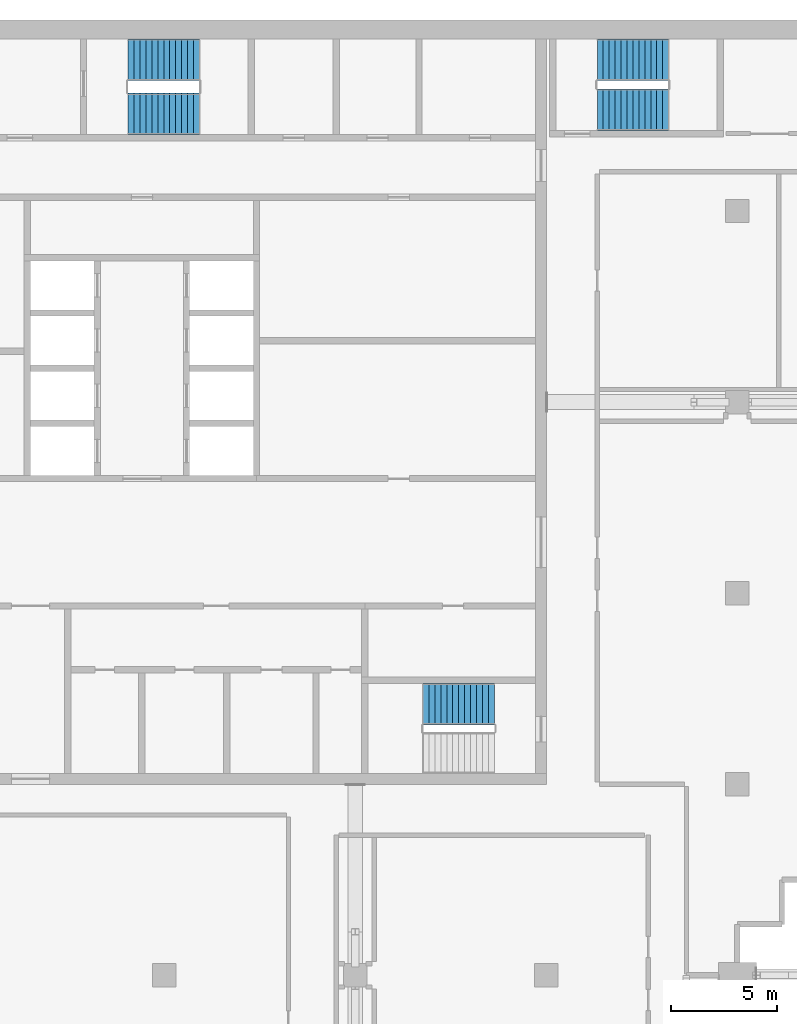
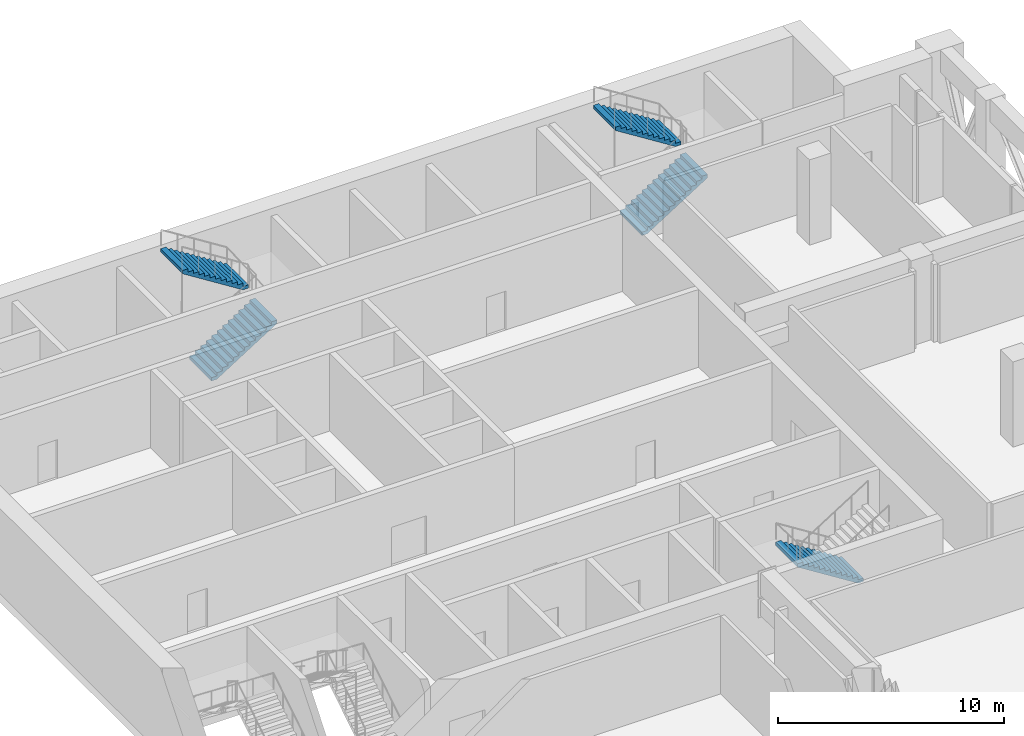
# One storey, part 11 of 16: 5 stair flights, 3 elements without a shape of their own.
"""IFC4 building model written with IfcOpenShell, lengths in metres."""

from ifc_helpers import new_model, si_unit, direction, frame, origin, place, context, subcontext, project, spatial, polyline, outline, extrude, material, type_object, element, aggregate, save


model = new_model("IFC4")

# Units and contexts
model_context = context("Model", 3, precision=1e-05, world=origin(), true_north=direction((0.0, 1.0)))
body_context = subcontext(model_context, "Body", "Model", "MODEL_VIEW")
ifc_project = project(units=[si_unit("LENGTHUNIT", "METRE"), si_unit("AREAUNIT", "SQUARE_METRE"), si_unit("VOLUMEUNIT", "CUBIC_METRE"), si_unit("PLANEANGLEUNIT", "RADIAN"), si_unit("MASSUNIT", "GRAM", prefix="KILO")], contexts=[model_context])

# Site, building, storey
site_placement = place(None, origin())
site = spatial("IfcSite", under=ifc_project, at=site_placement, CompositionType="ELEMENT")
building_placement = place(site_placement, origin())
building = spatial("IfcBuilding", under=site, at=building_placement, Name="Hunhe Ridgeline Campus", CompositionType="ELEMENT")
storey_placement = place(building_placement, frame((0.0, 0.0, 227.199951171875)))
storey = spatial("IfcBuildingStorey", under=building, at=storey_placement, Name="L58", CompositionType="ELEMENT", Elevation=227.199951171875)

# Stair, stair flights
ifc_material = material(Name="Concrete C40", Category="concrete")
stair_type = type_object("IfcStairType", Name="Reinforced concrete dog-leg stair 1950 Concrete C40", PredefinedType="HALF_TURN_STAIR", material=ifc_material)
stair_1_placement = place(storey_placement, origin())
stair_1 = element("IfcStair", 1, at=stair_1_placement, inside=storey, type_object=stair_type, Name="L58 S1", PredefinedType="HALF_TURN_STAIR")
stair_flight_type = type_object("IfcStairFlightType", Name="Reinforced concrete stair flight 1950 Concrete C40", PredefinedType="STRAIGHT", material=ifc_material)
stair_flight_1_placement = place(storey_placement, frame((16.300048828125, 94.574951171875, 0.0), z_axis=(0.0, 0.0, 1.0), x_axis=(1.0, 0.0, 0.0)))
stair_flight_1 = element("IfcStairFlight", 2, at=stair_flight_1_placement, type_object=stair_flight_type, Name="ST1 flight 1", NumberOfRisers=13, NumberOfTreads=12, PredefinedType="STRAIGHT", RiserHeight=0.176923077, TreadLength=0.28, context=body_context, shape_type="SweptSolid", body=[
    extrude(outline(polyline([(0.0, 0.0), (0.0, 0.177001953125), (0.280029296875, 0.177001953125), (0.280029296875, 0.353759765625), (0.56005859375, 0.353759765625), (0.56005859375, 0.53076171875), (0.840087890625, 0.53076171875), (0.840087890625, 0.707763671875), (1.1201171875, 0.707763671875), (1.1201171875, 0.884521484375), (1.39990234375, 0.884521484375), (1.39990234375, 1.0615234375), (1.679931640625, 1.0615234375), (1.679931640625, 1.238525390625), (1.9599609375, 1.238525390625), (1.9599609375, 1.415283203125), (2.239990234375, 1.415283203125), (2.239990234375, 1.59228515625), (2.52001953125, 1.59228515625), (2.52001953125, 1.769287109375), (2.800048828125, 1.769287109375), (2.800048828125, 1.946044921875), (3.080078125, 1.946044921875), (3.080078125, 2.123046875), (3.360107421875, 2.123046875), (3.360107421875, 2.300048828125), (3.360107421875, 1.94580078125), (0.280517578125, 0.0), (0.0, 0.0)])), frame((0.0, 0.97509765625, 0.0), z_axis=(0.0, -1.0, 0.0), x_axis=(1.0, 0.0, 0.0)), (0.0, 0.0, 1.0), 1.949951171875),
    extrude(outline(polyline([(0.030029296875, 0.030029296875), (0.030029296875, 0.14697265625), (0.31005859375, 0.14697265625), (0.31005859375, 0.32373046875), (0.590087890625, 0.32373046875), (0.590087890625, 0.500732421875), (0.8701171875, 0.500732421875), (0.8701171875, 0.677734375), (1.14990234375, 0.677734375), (1.14990234375, 0.8544921875), (1.429931640625, 0.8544921875), (1.429931640625, 1.031494140625), (1.7099609375, 1.031494140625), (1.7099609375, 1.20849609375), (1.989990234375, 1.20849609375), (1.989990234375, 1.385498046875), (2.27001953125, 1.385498046875), (2.27001953125, 1.562255859375), (2.550048828125, 1.562255859375), (2.550048828125, 1.7392578125), (2.830078125, 1.7392578125), (2.830078125, 1.916259765625), (3.110107421875, 1.916259765625), (3.110107421875, 2.093017578125), (3.330078125, 2.093017578125), (3.330078125, 1.96240234375), (0.27197265625, 0.030029296875), (0.030029296875, 0.030029296875)])), frame((0.0, -0.070068359375, 0.0), z_axis=(0.0, -1.0, 0.0), x_axis=(1.0, 0.0, 0.0)), (0.0, 0.0, 1.0), 0.019775390625),
    extrude(outline(polyline([(0.030029296875, 0.030029296875), (0.030029296875, 0.14697265625), (0.31005859375, 0.14697265625), (0.31005859375, 0.32373046875), (0.590087890625, 0.32373046875), (0.590087890625, 0.500732421875), (0.8701171875, 0.500732421875), (0.8701171875, 0.677734375), (1.14990234375, 0.677734375), (1.14990234375, 0.8544921875), (1.429931640625, 0.8544921875), (1.429931640625, 1.031494140625), (1.7099609375, 1.031494140625), (1.7099609375, 1.20849609375), (1.989990234375, 1.20849609375), (1.989990234375, 1.385498046875), (2.27001953125, 1.385498046875), (2.27001953125, 1.562255859375), (2.550048828125, 1.562255859375), (2.550048828125, 1.7392578125), (2.830078125, 1.7392578125), (2.830078125, 1.916259765625), (3.110107421875, 1.916259765625), (3.110107421875, 2.093017578125), (3.330078125, 2.093017578125), (3.330078125, 1.96240234375), (0.27197265625, 0.030029296875), (0.030029296875, 0.030029296875)])), frame((0.0, 0.010009765625, 0.0), z_axis=(0.0, -1.0, 0.0), x_axis=(1.0, 0.0, 0.0)), (0.0, 0.0, 1.0), 0.019775390625),
    extrude(outline(polyline([(0.030029296875, 0.030029296875), (0.030029296875, 0.14697265625), (0.31005859375, 0.14697265625), (0.31005859375, 0.32373046875), (0.590087890625, 0.32373046875), (0.590087890625, 0.500732421875), (0.8701171875, 0.500732421875), (0.8701171875, 0.677734375), (1.14990234375, 0.677734375), (1.14990234375, 0.8544921875), (1.429931640625, 0.8544921875), (1.429931640625, 1.031494140625), (1.7099609375, 1.031494140625), (1.7099609375, 1.20849609375), (1.989990234375, 1.20849609375), (1.989990234375, 1.385498046875), (2.27001953125, 1.385498046875), (2.27001953125, 1.562255859375), (2.550048828125, 1.562255859375), (2.550048828125, 1.7392578125), (2.830078125, 1.7392578125), (2.830078125, 1.916259765625), (3.110107421875, 1.916259765625), (3.110107421875, 2.093017578125), (3.330078125, 2.093017578125), (3.330078125, 1.96240234375), (0.27197265625, 0.030029296875), (0.030029296875, 0.030029296875)])), frame((0.0, 0.090087890625, 0.0), z_axis=(0.0, -1.0, 0.0), x_axis=(1.0, 0.0, 0.0)), (0.0, 0.0, 1.0), 0.019775390625),
])
stair_flight_2_placement = place(storey_placement, frame((19.659912109375, 97.125, 2.300048828125), z_axis=(0.0, 0.0, 1.0), x_axis=(-1.0, 0.0, 0.0)))
stair_flight_2 = element("IfcStairFlight", 3, at=stair_flight_2_placement, type_object=stair_flight_type, Name="ST1 flight 2", NumberOfRisers=13, NumberOfTreads=12, PredefinedType="STRAIGHT", RiserHeight=0.176923077, TreadLength=0.28, context=body_context, shape_type="SweptSolid", body=[
    extrude(outline(polyline([(0.0, 0.0), (0.0, 0.177001953125), (0.280029296875, 0.177001953125), (0.280029296875, 0.353759765625), (0.56005859375, 0.353759765625), (0.56005859375, 0.53076171875), (0.840087890625, 0.53076171875), (0.840087890625, 0.707763671875), (1.1201171875, 0.707763671875), (1.1201171875, 0.884521484375), (1.39990234375, 0.884521484375), (1.39990234375, 1.0615234375), (1.679931640625, 1.0615234375), (1.679931640625, 1.238525390625), (1.9599609375, 1.238525390625), (1.9599609375, 1.415283203125), (2.239990234375, 1.415283203125), (2.239990234375, 1.59228515625), (2.52001953125, 1.59228515625), (2.52001953125, 1.769287109375), (2.800048828125, 1.769287109375), (2.800048828125, 1.946044921875), (3.080078125, 1.946044921875), (3.080078125, 2.123046875), (3.360107421875, 2.123046875), (3.360107421875, 2.300048828125), (3.360107421875, 1.94580078125), (0.280517578125, 0.0), (0.0, 0.0)])), frame((0.0, 0.97509765625, 0.0), z_axis=(0.0, -1.0, 0.0), x_axis=(1.0, 0.0, 0.0)), (0.0, 0.0, 1.0), 1.949951171875),
    extrude(outline(polyline([(0.030029296875, 0.030029296875), (0.030029296875, 0.14697265625), (0.31005859375, 0.14697265625), (0.31005859375, 0.32373046875), (0.590087890625, 0.32373046875), (0.590087890625, 0.500732421875), (0.8701171875, 0.500732421875), (0.8701171875, 0.677734375), (1.14990234375, 0.677734375), (1.14990234375, 0.8544921875), (1.429931640625, 0.8544921875), (1.429931640625, 1.031494140625), (1.7099609375, 1.031494140625), (1.7099609375, 1.20849609375), (1.989990234375, 1.20849609375), (1.989990234375, 1.385498046875), (2.27001953125, 1.385498046875), (2.27001953125, 1.562255859375), (2.550048828125, 1.562255859375), (2.550048828125, 1.7392578125), (2.830078125, 1.7392578125), (2.830078125, 1.916259765625), (3.110107421875, 1.916259765625), (3.110107421875, 2.093017578125), (3.330078125, 2.093017578125), (3.330078125, 1.96240234375), (0.27197265625, 0.030029296875), (0.030029296875, 0.030029296875)])), frame((0.0, -0.070068359375, 0.0), z_axis=(0.0, -1.0, 0.0), x_axis=(1.0, 0.0, 0.0)), (0.0, 0.0, 1.0), 0.019775390625),
    extrude(outline(polyline([(0.030029296875, 0.030029296875), (0.030029296875, 0.14697265625), (0.31005859375, 0.14697265625), (0.31005859375, 0.32373046875), (0.590087890625, 0.32373046875), (0.590087890625, 0.500732421875), (0.8701171875, 0.500732421875), (0.8701171875, 0.677734375), (1.14990234375, 0.677734375), (1.14990234375, 0.8544921875), (1.429931640625, 0.8544921875), (1.429931640625, 1.031494140625), (1.7099609375, 1.031494140625), (1.7099609375, 1.20849609375), (1.989990234375, 1.20849609375), (1.989990234375, 1.385498046875), (2.27001953125, 1.385498046875), (2.27001953125, 1.562255859375), (2.550048828125, 1.562255859375), (2.550048828125, 1.7392578125), (2.830078125, 1.7392578125), (2.830078125, 1.916259765625), (3.110107421875, 1.916259765625), (3.110107421875, 2.093017578125), (3.330078125, 2.093017578125), (3.330078125, 1.96240234375), (0.27197265625, 0.030029296875), (0.030029296875, 0.030029296875)])), frame((0.0, 0.010009765625, 0.0), z_axis=(0.0, -1.0, 0.0), x_axis=(1.0, 0.0, 0.0)), (0.0, 0.0, 1.0), 0.019775390625),
    extrude(outline(polyline([(0.030029296875, 0.030029296875), (0.030029296875, 0.14697265625), (0.31005859375, 0.14697265625), (0.31005859375, 0.32373046875), (0.590087890625, 0.32373046875), (0.590087890625, 0.500732421875), (0.8701171875, 0.500732421875), (0.8701171875, 0.677734375), (1.14990234375, 0.677734375), (1.14990234375, 0.8544921875), (1.429931640625, 0.8544921875), (1.429931640625, 1.031494140625), (1.7099609375, 1.031494140625), (1.7099609375, 1.20849609375), (1.989990234375, 1.20849609375), (1.989990234375, 1.385498046875), (2.27001953125, 1.385498046875), (2.27001953125, 1.562255859375), (2.550048828125, 1.562255859375), (2.550048828125, 1.7392578125), (2.830078125, 1.7392578125), (2.830078125, 1.916259765625), (3.110107421875, 1.916259765625), (3.110107421875, 2.093017578125), (3.330078125, 2.093017578125), (3.330078125, 1.96240234375), (0.27197265625, 0.030029296875), (0.030029296875, 0.030029296875)])), frame((0.0, 0.090087890625, 0.0), z_axis=(0.0, -1.0, 0.0), x_axis=(1.0, 0.0, 0.0)), (0.0, 0.0, 1.0), 0.019775390625),
])
aggregate(stair_1, [stair_flight_1, stair_flight_2])

# Stair, stair flight
stair_2_placement = place(storey_placement, origin())
stair_2 = element("IfcStair", 4, at=stair_2_placement, inside=storey, type_object=stair_type, Name="L58 S2", PredefinedType="HALF_TURN_STAIR")
stair_flight_3_placement = place(storey_placement, frame((33.550048828125, 66.77490234375, 0.0), z_axis=(0.0, 0.0, 1.0), x_axis=(-1.0, 0.0, 0.0)))
stair_flight_3 = element("IfcStairFlight", 5, at=stair_flight_3_placement, type_object=stair_flight_type, Name="ST2 flight 1", NumberOfRisers=13, NumberOfTreads=12, PredefinedType="STRAIGHT", RiserHeight=0.176923077, TreadLength=0.28, context=body_context, shape_type="SweptSolid", body=[
    extrude(outline(polyline([(0.0, 0.0), (0.0, 0.177001953125), (0.280029296875, 0.177001953125), (0.280029296875, 0.353759765625), (0.56005859375, 0.353759765625), (0.56005859375, 0.53076171875), (0.840087890625, 0.53076171875), (0.840087890625, 0.707763671875), (1.1201171875, 0.707763671875), (1.1201171875, 0.884521484375), (1.39990234375, 0.884521484375), (1.39990234375, 1.0615234375), (1.679931640625, 1.0615234375), (1.679931640625, 1.238525390625), (1.9599609375, 1.238525390625), (1.9599609375, 1.415283203125), (2.239990234375, 1.415283203125), (2.239990234375, 1.59228515625), (2.52001953125, 1.59228515625), (2.52001953125, 1.769287109375), (2.800048828125, 1.769287109375), (2.800048828125, 1.946044921875), (3.080078125, 1.946044921875), (3.080078125, 2.123046875), (3.360107421875, 2.123046875), (3.360107421875, 2.300048828125), (3.360107421875, 1.94580078125), (0.280517578125, 0.0), (0.0, 0.0)])), frame((0.0, 0.97509765625, 0.0), z_axis=(0.0, -1.0, 0.0), x_axis=(1.0, 0.0, 0.0)), (0.0, 0.0, 1.0), 1.949951171875),
    extrude(outline(polyline([(0.030029296875, 0.030029296875), (0.030029296875, 0.14697265625), (0.31005859375, 0.14697265625), (0.31005859375, 0.32373046875), (0.590087890625, 0.32373046875), (0.590087890625, 0.500732421875), (0.8701171875, 0.500732421875), (0.8701171875, 0.677734375), (1.14990234375, 0.677734375), (1.14990234375, 0.8544921875), (1.429931640625, 0.8544921875), (1.429931640625, 1.031494140625), (1.7099609375, 1.031494140625), (1.7099609375, 1.20849609375), (1.989990234375, 1.20849609375), (1.989990234375, 1.385498046875), (2.27001953125, 1.385498046875), (2.27001953125, 1.562255859375), (2.550048828125, 1.562255859375), (2.550048828125, 1.7392578125), (2.830078125, 1.7392578125), (2.830078125, 1.916259765625), (3.110107421875, 1.916259765625), (3.110107421875, 2.093017578125), (3.330078125, 2.093017578125), (3.330078125, 1.96240234375), (0.27197265625, 0.030029296875), (0.030029296875, 0.030029296875)])), frame((0.0, -0.070068359375, 0.0), z_axis=(0.0, -1.0, 0.0), x_axis=(1.0, 0.0, 0.0)), (0.0, 0.0, 1.0), 0.019775390625),
    extrude(outline(polyline([(0.030029296875, 0.030029296875), (0.030029296875, 0.14697265625), (0.31005859375, 0.14697265625), (0.31005859375, 0.32373046875), (0.590087890625, 0.32373046875), (0.590087890625, 0.500732421875), (0.8701171875, 0.500732421875), (0.8701171875, 0.677734375), (1.14990234375, 0.677734375), (1.14990234375, 0.8544921875), (1.429931640625, 0.8544921875), (1.429931640625, 1.031494140625), (1.7099609375, 1.031494140625), (1.7099609375, 1.20849609375), (1.989990234375, 1.20849609375), (1.989990234375, 1.385498046875), (2.27001953125, 1.385498046875), (2.27001953125, 1.562255859375), (2.550048828125, 1.562255859375), (2.550048828125, 1.7392578125), (2.830078125, 1.7392578125), (2.830078125, 1.916259765625), (3.110107421875, 1.916259765625), (3.110107421875, 2.093017578125), (3.330078125, 2.093017578125), (3.330078125, 1.96240234375), (0.27197265625, 0.030029296875), (0.030029296875, 0.030029296875)])), frame((0.0, 0.010009765625, 0.0), z_axis=(0.0, -1.0, 0.0), x_axis=(1.0, 0.0, 0.0)), (0.0, 0.0, 1.0), 0.019775390625),
    extrude(outline(polyline([(0.030029296875, 0.030029296875), (0.030029296875, 0.14697265625), (0.31005859375, 0.14697265625), (0.31005859375, 0.32373046875), (0.590087890625, 0.32373046875), (0.590087890625, 0.500732421875), (0.8701171875, 0.500732421875), (0.8701171875, 0.677734375), (1.14990234375, 0.677734375), (1.14990234375, 0.8544921875), (1.429931640625, 0.8544921875), (1.429931640625, 1.031494140625), (1.7099609375, 1.031494140625), (1.7099609375, 1.20849609375), (1.989990234375, 1.20849609375), (1.989990234375, 1.385498046875), (2.27001953125, 1.385498046875), (2.27001953125, 1.562255859375), (2.550048828125, 1.562255859375), (2.550048828125, 1.7392578125), (2.830078125, 1.7392578125), (2.830078125, 1.916259765625), (3.110107421875, 1.916259765625), (3.110107421875, 2.093017578125), (3.330078125, 2.093017578125), (3.330078125, 1.96240234375), (0.27197265625, 0.030029296875), (0.030029296875, 0.030029296875)])), frame((0.0, 0.090087890625, 0.0), z_axis=(0.0, -1.0, 0.0), x_axis=(1.0, 0.0, 0.0)), (0.0, 0.0, 1.0), 0.019775390625),
])
aggregate(stair_2, [stair_flight_3])

# Stair, stair flights
stair_3_placement = place(storey_placement, origin())
stair_3 = element("IfcStair", 6, at=stair_3_placement, inside=storey, type_object=stair_type, Name="L58 E1", PredefinedType="HALF_TURN_STAIR")
stair_flight_4_placement = place(storey_placement, frame((38.39990234375, 94.77490234375, 0.0), z_axis=(0.0, 0.0, 1.0), x_axis=(1.0, 0.0, 0.0)))
stair_flight_4 = element("IfcStairFlight", 7, at=stair_flight_4_placement, type_object=stair_flight_type, Name="ST5 flight 1", NumberOfRisers=13, NumberOfTreads=12, PredefinedType="STRAIGHT", RiserHeight=0.176923077, TreadLength=0.28, context=body_context, shape_type="SweptSolid", body=[
    extrude(outline(polyline([(0.0, 0.0), (0.0, 0.177001953125), (0.280029296875, 0.177001953125), (0.280029296875, 0.353759765625), (0.56005859375, 0.353759765625), (0.56005859375, 0.53076171875), (0.840087890625, 0.53076171875), (0.840087890625, 0.707763671875), (1.1201171875, 0.707763671875), (1.1201171875, 0.884521484375), (1.39990234375, 0.884521484375), (1.39990234375, 1.0615234375), (1.679931640625, 1.0615234375), (1.679931640625, 1.238525390625), (1.9599609375, 1.238525390625), (1.9599609375, 1.415283203125), (2.239990234375, 1.415283203125), (2.239990234375, 1.59228515625), (2.52001953125, 1.59228515625), (2.52001953125, 1.769287109375), (2.800048828125, 1.769287109375), (2.800048828125, 1.946044921875), (3.080078125, 1.946044921875), (3.080078125, 2.123046875), (3.360107421875, 2.123046875), (3.360107421875, 2.300048828125), (3.360107421875, 1.94580078125), (0.280517578125, 0.0), (0.0, 0.0)])), frame((0.0, 0.97509765625, 0.0), z_axis=(0.0, -1.0, 0.0), x_axis=(1.0, 0.0, 0.0)), (0.0, 0.0, 1.0), 1.949951171875),
    extrude(outline(polyline([(0.030029296875, 0.030029296875), (0.030029296875, 0.14697265625), (0.31005859375, 0.14697265625), (0.31005859375, 0.32373046875), (0.590087890625, 0.32373046875), (0.590087890625, 0.500732421875), (0.8701171875, 0.500732421875), (0.8701171875, 0.677734375), (1.14990234375, 0.677734375), (1.14990234375, 0.8544921875), (1.429931640625, 0.8544921875), (1.429931640625, 1.031494140625), (1.7099609375, 1.031494140625), (1.7099609375, 1.20849609375), (1.989990234375, 1.20849609375), (1.989990234375, 1.385498046875), (2.27001953125, 1.385498046875), (2.27001953125, 1.562255859375), (2.550048828125, 1.562255859375), (2.550048828125, 1.7392578125), (2.830078125, 1.7392578125), (2.830078125, 1.916259765625), (3.110107421875, 1.916259765625), (3.110107421875, 2.093017578125), (3.330078125, 2.093017578125), (3.330078125, 1.96240234375), (0.27197265625, 0.030029296875), (0.030029296875, 0.030029296875)])), frame((0.0, -0.070068359375, 0.0), z_axis=(0.0, -1.0, 0.0), x_axis=(1.0, 0.0, 0.0)), (0.0, 0.0, 1.0), 0.019775390625),
    extrude(outline(polyline([(0.030029296875, 0.030029296875), (0.030029296875, 0.14697265625), (0.31005859375, 0.14697265625), (0.31005859375, 0.32373046875), (0.590087890625, 0.32373046875), (0.590087890625, 0.500732421875), (0.8701171875, 0.500732421875), (0.8701171875, 0.677734375), (1.14990234375, 0.677734375), (1.14990234375, 0.8544921875), (1.429931640625, 0.8544921875), (1.429931640625, 1.031494140625), (1.7099609375, 1.031494140625), (1.7099609375, 1.20849609375), (1.989990234375, 1.20849609375), (1.989990234375, 1.385498046875), (2.27001953125, 1.385498046875), (2.27001953125, 1.562255859375), (2.550048828125, 1.562255859375), (2.550048828125, 1.7392578125), (2.830078125, 1.7392578125), (2.830078125, 1.916259765625), (3.110107421875, 1.916259765625), (3.110107421875, 2.093017578125), (3.330078125, 2.093017578125), (3.330078125, 1.96240234375), (0.27197265625, 0.030029296875), (0.030029296875, 0.030029296875)])), frame((0.0, 0.010009765625, 0.0), z_axis=(0.0, -1.0, 0.0), x_axis=(1.0, 0.0, 0.0)), (0.0, 0.0, 1.0), 0.019775390625),
    extrude(outline(polyline([(0.030029296875, 0.030029296875), (0.030029296875, 0.14697265625), (0.31005859375, 0.14697265625), (0.31005859375, 0.32373046875), (0.590087890625, 0.32373046875), (0.590087890625, 0.500732421875), (0.8701171875, 0.500732421875), (0.8701171875, 0.677734375), (1.14990234375, 0.677734375), (1.14990234375, 0.8544921875), (1.429931640625, 0.8544921875), (1.429931640625, 1.031494140625), (1.7099609375, 1.031494140625), (1.7099609375, 1.20849609375), (1.989990234375, 1.20849609375), (1.989990234375, 1.385498046875), (2.27001953125, 1.385498046875), (2.27001953125, 1.562255859375), (2.550048828125, 1.562255859375), (2.550048828125, 1.7392578125), (2.830078125, 1.7392578125), (2.830078125, 1.916259765625), (3.110107421875, 1.916259765625), (3.110107421875, 2.093017578125), (3.330078125, 2.093017578125), (3.330078125, 1.96240234375), (0.27197265625, 0.030029296875), (0.030029296875, 0.030029296875)])), frame((0.0, 0.090087890625, 0.0), z_axis=(0.0, -1.0, 0.0), x_axis=(1.0, 0.0, 0.0)), (0.0, 0.0, 1.0), 0.019775390625),
])
stair_flight_5_placement = place(storey_placement, frame((41.760009765625, 97.125, 2.300048828125), z_axis=(0.0, 0.0, 1.0), x_axis=(-1.0, 0.0, 0.0)))
stair_flight_5 = element("IfcStairFlight", 8, at=stair_flight_5_placement, type_object=stair_flight_type, Name="ST5 flight 2", NumberOfRisers=13, NumberOfTreads=12, PredefinedType="STRAIGHT", RiserHeight=0.176923077, TreadLength=0.28, context=body_context, shape_type="SweptSolid", body=[
    extrude(outline(polyline([(0.0, 0.0), (0.0, 0.177001953125), (0.280029296875, 0.177001953125), (0.280029296875, 0.353759765625), (0.56005859375, 0.353759765625), (0.56005859375, 0.53076171875), (0.840087890625, 0.53076171875), (0.840087890625, 0.707763671875), (1.1201171875, 0.707763671875), (1.1201171875, 0.884521484375), (1.39990234375, 0.884521484375), (1.39990234375, 1.0615234375), (1.679931640625, 1.0615234375), (1.679931640625, 1.238525390625), (1.9599609375, 1.238525390625), (1.9599609375, 1.415283203125), (2.239990234375, 1.415283203125), (2.239990234375, 1.59228515625), (2.52001953125, 1.59228515625), (2.52001953125, 1.769287109375), (2.800048828125, 1.769287109375), (2.800048828125, 1.946044921875), (3.080078125, 1.946044921875), (3.080078125, 2.123046875), (3.360107421875, 2.123046875), (3.360107421875, 2.300048828125), (3.360107421875, 1.94580078125), (0.280517578125, 0.0), (0.0, 0.0)])), frame((0.0, 0.97509765625, 0.0), z_axis=(0.0, -1.0, 0.0), x_axis=(1.0, 0.0, 0.0)), (0.0, 0.0, 1.0), 1.949951171875),
    extrude(outline(polyline([(0.030029296875, 0.030029296875), (0.030029296875, 0.14697265625), (0.31005859375, 0.14697265625), (0.31005859375, 0.32373046875), (0.590087890625, 0.32373046875), (0.590087890625, 0.500732421875), (0.8701171875, 0.500732421875), (0.8701171875, 0.677734375), (1.14990234375, 0.677734375), (1.14990234375, 0.8544921875), (1.429931640625, 0.8544921875), (1.429931640625, 1.031494140625), (1.7099609375, 1.031494140625), (1.7099609375, 1.20849609375), (1.989990234375, 1.20849609375), (1.989990234375, 1.385498046875), (2.27001953125, 1.385498046875), (2.27001953125, 1.562255859375), (2.550048828125, 1.562255859375), (2.550048828125, 1.7392578125), (2.830078125, 1.7392578125), (2.830078125, 1.916259765625), (3.110107421875, 1.916259765625), (3.110107421875, 2.093017578125), (3.330078125, 2.093017578125), (3.330078125, 1.96240234375), (0.27197265625, 0.030029296875), (0.030029296875, 0.030029296875)])), frame((0.0, -0.070068359375, 0.0), z_axis=(0.0, -1.0, 0.0), x_axis=(1.0, 0.0, 0.0)), (0.0, 0.0, 1.0), 0.019775390625),
    extrude(outline(polyline([(0.030029296875, 0.030029296875), (0.030029296875, 0.14697265625), (0.31005859375, 0.14697265625), (0.31005859375, 0.32373046875), (0.590087890625, 0.32373046875), (0.590087890625, 0.500732421875), (0.8701171875, 0.500732421875), (0.8701171875, 0.677734375), (1.14990234375, 0.677734375), (1.14990234375, 0.8544921875), (1.429931640625, 0.8544921875), (1.429931640625, 1.031494140625), (1.7099609375, 1.031494140625), (1.7099609375, 1.20849609375), (1.989990234375, 1.20849609375), (1.989990234375, 1.385498046875), (2.27001953125, 1.385498046875), (2.27001953125, 1.562255859375), (2.550048828125, 1.562255859375), (2.550048828125, 1.7392578125), (2.830078125, 1.7392578125), (2.830078125, 1.916259765625), (3.110107421875, 1.916259765625), (3.110107421875, 2.093017578125), (3.330078125, 2.093017578125), (3.330078125, 1.96240234375), (0.27197265625, 0.030029296875), (0.030029296875, 0.030029296875)])), frame((0.0, 0.010009765625, 0.0), z_axis=(0.0, -1.0, 0.0), x_axis=(1.0, 0.0, 0.0)), (0.0, 0.0, 1.0), 0.019775390625),
    extrude(outline(polyline([(0.030029296875, 0.030029296875), (0.030029296875, 0.14697265625), (0.31005859375, 0.14697265625), (0.31005859375, 0.32373046875), (0.590087890625, 0.32373046875), (0.590087890625, 0.500732421875), (0.8701171875, 0.500732421875), (0.8701171875, 0.677734375), (1.14990234375, 0.677734375), (1.14990234375, 0.8544921875), (1.429931640625, 0.8544921875), (1.429931640625, 1.031494140625), (1.7099609375, 1.031494140625), (1.7099609375, 1.20849609375), (1.989990234375, 1.20849609375), (1.989990234375, 1.385498046875), (2.27001953125, 1.385498046875), (2.27001953125, 1.562255859375), (2.550048828125, 1.562255859375), (2.550048828125, 1.7392578125), (2.830078125, 1.7392578125), (2.830078125, 1.916259765625), (3.110107421875, 1.916259765625), (3.110107421875, 2.093017578125), (3.330078125, 2.093017578125), (3.330078125, 1.96240234375), (0.27197265625, 0.030029296875), (0.030029296875, 0.030029296875)])), frame((0.0, 0.090087890625, 0.0), z_axis=(0.0, -1.0, 0.0), x_axis=(1.0, 0.0, 0.0)), (0.0, 0.0, 1.0), 0.019775390625),
])
aggregate(stair_3, [stair_flight_4, stair_flight_5])

save(model, "model.ifc")
